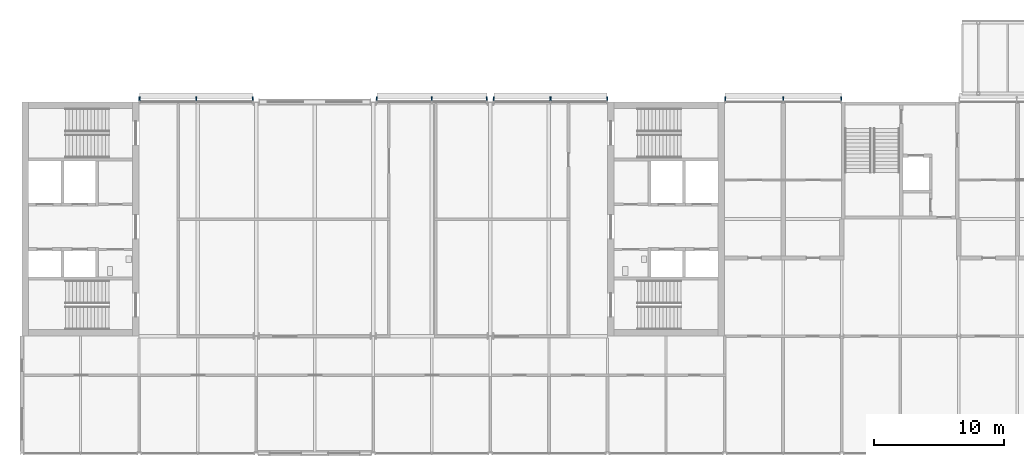
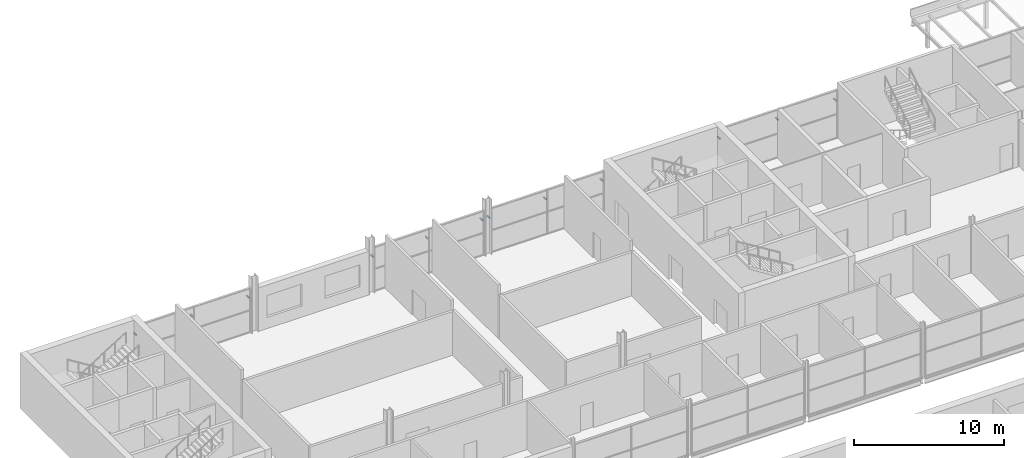
# One storey, part 90 of 97: 12 discrete accessories.
"""IFC4 building model written with IfcOpenShell, lengths in metres."""

from ifc_helpers import new_model, si_unit, direction, frame, origin, origin_2d, place, context, subcontext, project, spatial, rectangle, extrude, material, type_object, element, save


model = new_model("IFC4")

# Units and contexts
model_context = context("Model", 3, precision=1e-05, world=origin(), true_north=direction((0.0, 1.0)))
body_context = subcontext(model_context, "Body", "Model", "MODEL_VIEW")
ifc_project = project(units=[si_unit("LENGTHUNIT", "METRE"), si_unit("AREAUNIT", "SQUARE_METRE"), si_unit("VOLUMEUNIT", "CUBIC_METRE"), si_unit("PLANEANGLEUNIT", "RADIAN"), si_unit("MASSUNIT", "GRAM", prefix="KILO")], contexts=[model_context])

# Site, building, storey
site_placement = place(None, origin())
site = spatial("IfcSite", under=ifc_project, at=site_placement, CompositionType="ELEMENT")
building_placement = place(site_placement, origin())
building = spatial("IfcBuilding", under=site, at=building_placement, Name="Corbel Yard City Hall", CompositionType="ELEMENT")
storey_placement = place(building_placement, frame((0.0, 0.0, 6.0)))
storey = spatial("IfcBuildingStorey", under=building, at=storey_placement, Name="L01", CompositionType="ELEMENT", Elevation=6.0)

# Discrete accessories
ifc_material = material(Name="Steel Grade 300 (300 MPa yield)", Category="steel")
discrete_accessory_type = type_object("IfcDiscreteAccessoryType", Name="BK2", PredefinedType="BRACKET", material=ifc_material)
for number, where, z_axis, x_axis, name in (
    (1, (9.032470703125, 117.25, 2.68994140625), (0.0, 0.0, 1.0), (1.0, 0.0, 0.0), "Louvre bracket"),
    (2, (13.3798828125, 117.25, 2.68994140625), (0.0, 0.0, 1.0), (1.0, 0.0, 0.0), "Louvre bracket"),
    (3, (17.7275390625, 117.25, 2.68994140625), (0.0, 0.0, 1.0), (1.0, 0.0, 0.0), "Louvre bracket"),
    (4, (27.2724609375, 117.25, 2.68994140625), (0.0, 0.0, 1.0), (1.0, 0.0, 0.0), "Louvre bracket"),
    (5, (31.5, 117.25, 2.68994140625), (0.0, 0.0, 1.0), (1.0, 0.0, 0.0), "Louvre bracket"),
    (6, (35.7275390625, 117.25, 2.68994140625), (0.0, 0.0, 1.0), (1.0, 0.0, 0.0), "Louvre bracket"),
    (7, (36.2724609375, 117.25, 2.68994140625), (0.0, 0.0, 1.0), (1.0, 0.0, 0.0), "Louvre bracket"),
    (8, (40.6201171875, 117.25, 2.68994140625), (0.0, 0.0, 1.0), (1.0, 0.0, 0.0), "Louvre bracket"),
    (9, (44.967529296875, 117.25, 2.68994140625), (0.0, 0.0, 1.0), (1.0, 0.0, 0.0), "Louvre bracket"),
    (10, (54.032470703125, 117.25, 2.920166015625), (0.0, 0.0, 1.0), (1.0, 0.0, 0.0), "Louvre bracket"),
    (11, (58.5, 117.25, 2.920166015625), (0.0, 0.0, 1.0), (1.0, 0.0, 0.0), "Louvre bracket"),
    (12, (62.967529296875, 117.25, 2.920166015625), (0.0, 0.0, 1.0), (1.0, 0.0, 0.0), "Louvre bracket"),
):
    element("IfcDiscreteAccessory", number, at=place(storey_placement, frame(where, z_axis=z_axis, x_axis=x_axis)), inside=storey, type_object=discrete_accessory_type, Name=name, PredefinedType="BRACKET", context=body_context, shape_type="SweptSolid", body=[
        extrude(rectangle(XDim=0.080078125, YDim=0.300048828125, at=origin_2d()), origin(), (0.0, 0.0, 1.0), 0.080078125),
    ])

save(model, "model.ifc")
